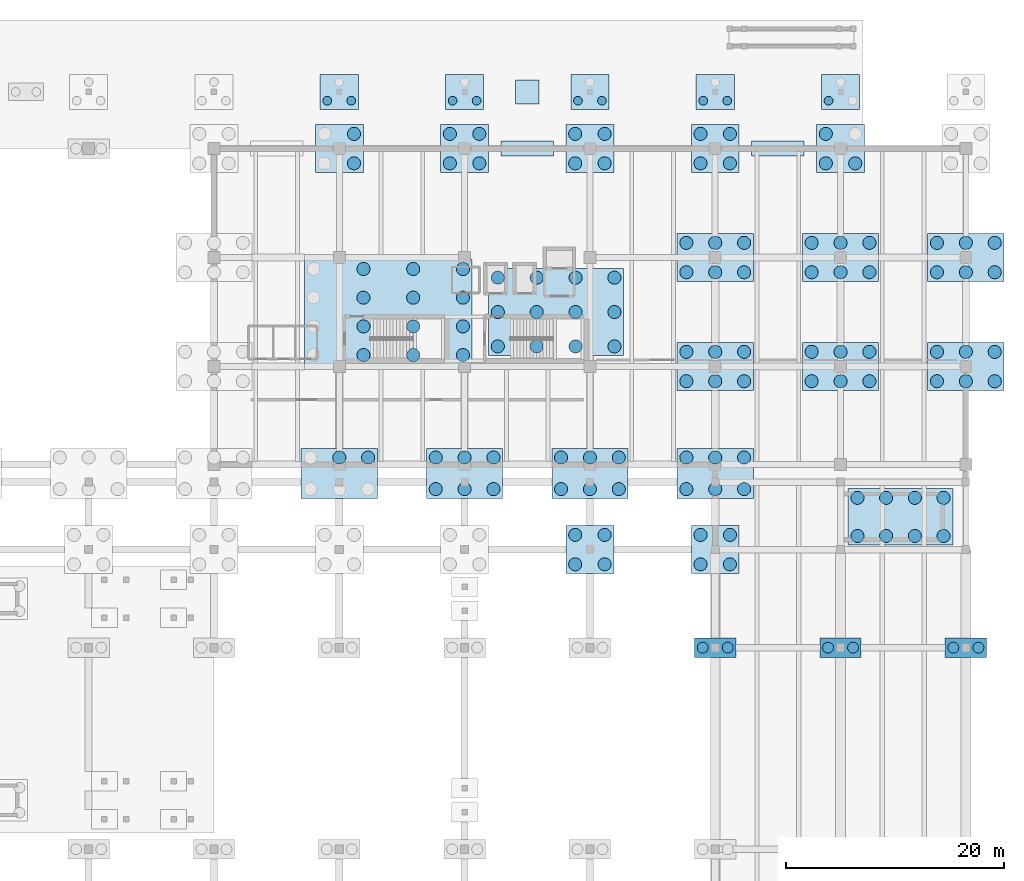
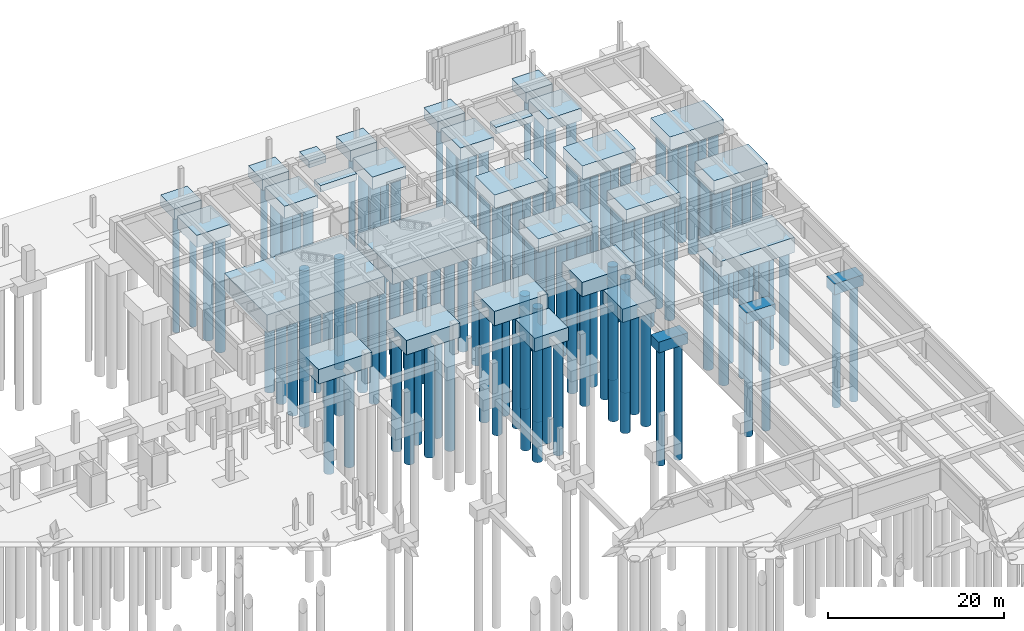
# One storey, part 6 of 28: 128 piles, 31 footings.
"""IFC4 building model written with IfcOpenShell, lengths in metres."""

from ifc_helpers import new_model, si_unit, direction, frame, origin, origin_2d, place, context, subcontext, project, spatial, rectangle, circle, extrude, material, material_profile, profile_set, type_object, element, save


model = new_model("IFC4")

# Units and contexts
model_context = context("Model", 3, precision=1e-05, world=origin(), true_north=direction((0.0, 1.0)))
body_context = subcontext(model_context, "Body", "Model", "MODEL_VIEW")
ifc_project = project(units=[si_unit("LENGTHUNIT", "METRE"), si_unit("AREAUNIT", "SQUARE_METRE"), si_unit("VOLUMEUNIT", "CUBIC_METRE"), si_unit("PLANEANGLEUNIT", "RADIAN"), si_unit("MASSUNIT", "GRAM", prefix="KILO")], contexts=[model_context])

# Site, building, storey
site_placement = place(None, origin())
site = spatial("IfcSite", under=ifc_project, at=site_placement, CompositionType="ELEMENT")
building_placement = place(site_placement, origin())
building = spatial("IfcBuilding", under=site, at=building_placement, Name="Ologun Quay Terminus", CompositionType="ELEMENT")
storey_placement = place(building_placement, frame((0.0, 0.0, -8.39990234375)))
storey = spatial("IfcBuildingStorey", under=building, at=storey_placement, Name="B02", CompositionType="ELEMENT", Elevation=-8.39990234375)

# Piles
ifc_material_1 = material(Name="Concrete C35/45", Category="concrete")
ifc_material_profile_1 = material_profile(ifc_material_1, circle(Radius=0.5, at=origin_2d()), Name="PILE D1000")
ifc_profile_set_1 = profile_set([ifc_material_profile_1], Name="Concrete C35/45")
pile_type_1 = type_object("IfcPileType", Name="Bored Concrete Pile D1000", PredefinedType="BORED", material=ifc_profile_set_1)
for number, where, z_axis, x_axis, name in (
    (1, (159.85009765625, 69.0, -1.400146484375), (0.0, 0.0, -1.0), (1.0, 0.0, 0.0), "P2 Pile FND-SUB-15-Y69-01"),
    (2, (162.14990234375, 69.0, -1.400146484375), (0.0, 0.0, -1.0), (1.0, 0.0, 0.0), "P2 Pile FND-SUB-15-Y69-02"),
    (3, (171.35009765625, 69.0, -1.400146484375), (0.0, 0.0, -1.0), (1.0, 0.0, 0.0), "P2 Pile FND-SUB-16-Y69-01"),
    (4, (173.64990234375, 69.0, -1.400146484375), (0.0, 0.0, -1.0), (1.0, 0.0, 0.0), "P2 Pile FND-SUB-16-Y69-02"),
    (5, (182.85009765625, 69.0, -1.400146484375), (0.0, 0.0, -1.0), (1.0, 0.0, 0.0), "P2 Pile FND-SUB-17-Y69-01"),
    (6, (185.14990234375, 69.0, -1.400146484375), (0.0, 0.0, -1.0), (1.0, 0.0, 0.0), "P2 Pile FND-SUB-17-Y69-02"),
):
    element("IfcPile", number, at=place(storey_placement, frame(where, z_axis=z_axis, x_axis=x_axis)), inside=storey, type_object=pile_type_1, Name=name, PredefinedType="BORED", context=body_context, shape_type="SweptSolid", body=[
        extrude(circle(Radius=0.5, at=origin_2d()), origin(), (0.0, 0.0, 1.0), 16.199951171875),
    ])
ifc_material_2 = material(Name="Concrete C35/45", Category="concrete")
ifc_material_profile_2 = material_profile(ifc_material_2, circle(Radius=0.60009765625, at=origin_2d()), Name="PILE D1200")
ifc_profile_set_2 = profile_set([ifc_material_profile_2], Name="Concrete C35/45")
pile_type_2 = type_object("IfcPileType", Name="Bored Concrete Pile D1200", PredefinedType="BORED", material=ifc_profile_set_2)
for number, where, z_axis, x_axis, name in (
    (7, (128.716796875, 95.85009765625, -2.300048828125), (0.0, 0.0, -1.0), (1.0, 0.0, 0.0), "P1 Pile FND-CORE-E1-02"),
    (8, (133.283203125, 95.85009765625, -2.300048828125), (0.0, 0.0, -1.0), (1.0, 0.0, 0.0), "P1 Pile FND-CORE-E1-03"),
    (9, (137.85009765625, 95.85009765625, -2.300048828125), (0.0, 0.0, -1.0), (1.0, 0.0, 0.0), "P1 Pile FND-CORE-E1-04"),
    (10, (128.716796875, 98.4833984375, -2.300048828125), (0.0, 0.0, -1.0), (1.0, 0.0, 0.0), "P1 Pile FND-CORE-E1-06"),
    (11, (133.283203125, 98.4833984375, -2.300048828125), (0.0, 0.0, -1.0), (1.0, 0.0, 0.0), "P1 Pile FND-CORE-E1-07"),
    (12, (137.85009765625, 98.4833984375, -2.300048828125), (0.0, 0.0, -1.0), (1.0, 0.0, 0.0), "P1 Pile FND-CORE-E1-08"),
    (13, (128.716796875, 101.11669921875, -2.300048828125), (0.0, 0.0, -1.0), (1.0, 0.0, 0.0), "P1 Pile FND-CORE-E1-10"),
    (14, (133.283203125, 101.11669921875, -2.300048828125), (0.0, 0.0, -1.0), (1.0, 0.0, 0.0), "P1 Pile FND-CORE-E1-11"),
    (15, (137.85009765625, 101.11669921875, -2.300048828125), (0.0, 0.0, -1.0), (1.0, 0.0, 0.0), "P1 Pile FND-CORE-E1-12"),
    (16, (128.716796875, 103.75, -2.300048828125), (0.0, 0.0, -1.0), (1.0, 0.0, 0.0), "P1 Pile FND-CORE-E1-14"),
    (17, (133.283203125, 103.75, -2.300048828125), (0.0, 0.0, -1.0), (1.0, 0.0, 0.0), "P1 Pile FND-CORE-E1-15"),
    (18, (137.85009765625, 103.75, -2.300048828125), (0.0, 0.0, -1.0), (1.0, 0.0, 0.0), "P1 Pile FND-CORE-E1-16"),
):
    element("IfcPile", number, at=place(storey_placement, frame(where, z_axis=z_axis, x_axis=x_axis)), inside=storey, type_object=pile_type_2, Name=name, PredefinedType="BORED", context=body_context, shape_type="SweptSolid", body=[
        extrude(circle(Radius=0.60009765625, at=origin_2d()), origin(), (0.0, 0.0, 1.0), 15.300048828125),
    ])
for number, where, z_axis, x_axis, name in (
    (19, (141.050048828125, 96.64990234375, -2.10009765625), (0.0, 0.0, -1.0), (1.0, 0.0, 0.0), "P1 Pile FND-CORE-E2-01"),
    (20, (144.61669921875, 96.64990234375, -2.10009765625), (0.0, 0.0, -1.0), (1.0, 0.0, 0.0), "P1 Pile FND-CORE-E2-02"),
    (21, (148.183349609375, 96.64990234375, -2.10009765625), (0.0, 0.0, -1.0), (1.0, 0.0, 0.0), "P1 Pile FND-CORE-E2-03"),
    (22, (151.75, 96.64990234375, -2.10009765625), (0.0, 0.0, -1.0), (1.0, 0.0, 0.0), "P1 Pile FND-CORE-E2-04"),
    (23, (141.050048828125, 99.800048828125, -2.10009765625), (0.0, 0.0, -1.0), (1.0, 0.0, 0.0), "P1 Pile FND-CORE-E2-05"),
    (24, (144.61669921875, 99.800048828125, -2.10009765625), (0.0, 0.0, -1.0), (1.0, 0.0, 0.0), "P1 Pile FND-CORE-E2-06"),
    (25, (148.183349609375, 99.800048828125, -2.10009765625), (0.0, 0.0, -1.0), (1.0, 0.0, 0.0), "P1 Pile FND-CORE-E2-07"),
    (26, (151.75, 99.800048828125, -2.10009765625), (0.0, 0.0, -1.0), (1.0, 0.0, 0.0), "P1 Pile FND-CORE-E2-08"),
    (27, (141.050048828125, 102.949951171875, -2.10009765625), (0.0, 0.0, -1.0), (1.0, 0.0, 0.0), "P1 Pile FND-CORE-E2-09"),
    (28, (144.61669921875, 102.949951171875, -2.10009765625), (0.0, 0.0, -1.0), (1.0, 0.0, 0.0), "P1 Pile FND-CORE-E2-10"),
    (29, (148.183349609375, 102.949951171875, -2.10009765625), (0.0, 0.0, -1.0), (1.0, 0.0, 0.0), "P1 Pile FND-CORE-E2-11"),
    (30, (151.75, 102.949951171875, -2.10009765625), (0.0, 0.0, -1.0), (1.0, 0.0, 0.0), "P1 Pile FND-CORE-E2-12"),
):
    element("IfcPile", number, at=place(storey_placement, frame(where, z_axis=z_axis, x_axis=x_axis)), inside=storey, type_object=pile_type_2, Name=name, PredefinedType="BORED", context=body_context, shape_type="SweptSolid", body=[
        extrude(circle(Radius=0.60009765625, at=origin_2d()), origin(), (0.0, 0.0, 1.0), 15.5),
    ])
for number, where, z_axis, x_axis, name in (
    (31, (174.050048828125, 79.25, -2.0), (0.0, 0.0, -1.0), (1.0, 0.0, 0.0), "P1 Pile FND-SCAP-6-01"),
    (32, (176.683349609375, 79.25, -2.0), (0.0, 0.0, -1.0), (1.0, 0.0, 0.0), "P1 Pile FND-SCAP-6-02"),
    (33, (179.316650390625, 79.25, -2.0), (0.0, 0.0, -1.0), (1.0, 0.0, 0.0), "P1 Pile FND-SCAP-6-03"),
    (34, (181.949951171875, 79.25, -2.0), (0.0, 0.0, -1.0), (1.0, 0.0, 0.0), "P1 Pile FND-SCAP-6-04"),
    (35, (174.050048828125, 82.75, -2.0), (0.0, 0.0, -1.0), (1.0, 0.0, 0.0), "P1 Pile FND-SCAP-6-05"),
    (36, (176.683349609375, 82.75, -2.0), (0.0, 0.0, -1.0), (1.0, 0.0, 0.0), "P1 Pile FND-SCAP-6-06"),
    (37, (179.316650390625, 82.75, -2.0), (0.0, 0.0, -1.0), (1.0, 0.0, 0.0), "P1 Pile FND-SCAP-6-07"),
    (38, (181.949951171875, 82.75, -2.0), (0.0, 0.0, -1.0), (1.0, 0.0, 0.0), "P1 Pile FND-SCAP-6-08"),
):
    element("IfcPile", number, at=place(storey_placement, frame(where, z_axis=z_axis, x_axis=x_axis)), inside=storey, type_object=pile_type_2, Name=name, PredefinedType="BORED", context=body_context, shape_type="SweptSolid", body=[
        extrude(circle(Radius=0.60009765625, at=origin_2d()), origin(), (0.0, 0.0, 1.0), 15.60009765625),
    ])
for number, where, z_axis, x_axis, name in (
    (39, (126.5, 86.449951171875, -1.900146484375), (0.0, 0.0, -1.0), (1.0, 0.0, 0.0), "P1 Pile FND-MJ-12-05"),
    (40, (129.14990234375, 86.449951171875, -1.900146484375), (0.0, 0.0, -1.0), (1.0, 0.0, 0.0), "P1 Pile FND-MJ-12-06"),
):
    element("IfcPile", number, at=place(storey_placement, frame(where, z_axis=z_axis, x_axis=x_axis)), inside=storey, type_object=pile_type_2, Name=name, PredefinedType="BORED", context=body_context, shape_type="SweptSolid", body=[
        extrude(circle(Radius=0.60009765625, at=origin_2d()), origin(), (0.0, 0.0, 1.0), 15.699951171875),
    ])
for number, where, z_axis, x_axis, name in (
    (41, (127.85009765625, 113.449951171875, -1.60009765625), (0.0, 0.0, -1.0), (1.0, 0.0, 0.0), "P1 Pile FND-12-K-02"),
    (42, (127.85009765625, 116.14990234375, -1.60009765625), (0.0, 0.0, -1.0), (1.0, 0.0, 0.0), "P1 Pile FND-12-K-04"),
):
    element("IfcPile", number, at=place(storey_placement, frame(where, z_axis=z_axis, x_axis=x_axis)), inside=storey, type_object=pile_type_2, Name=name, PredefinedType="BORED", context=body_context, shape_type="SweptSolid", body=[
        extrude(circle(Radius=0.60009765625, at=origin_2d()), origin(), (0.0, 0.0, 1.0), 16.0),
    ])
for number, where, z_axis, x_axis, name in (
    (43, (135.35009765625, 83.550048828125, -1.900146484375), (0.0, 0.0, -1.0), (1.0, 0.0, 0.0), "P1 Pile FND-MJ-13-01"),
    (44, (138.0, 83.550048828125, -1.900146484375), (0.0, 0.0, -1.0), (1.0, 0.0, 0.0), "P1 Pile FND-MJ-13-02"),
    (45, (140.64990234375, 83.550048828125, -1.900146484375), (0.0, 0.0, -1.0), (1.0, 0.0, 0.0), "P1 Pile FND-MJ-13-03"),
    (46, (135.35009765625, 86.449951171875, -1.900146484375), (0.0, 0.0, -1.0), (1.0, 0.0, 0.0), "P1 Pile FND-MJ-13-04"),
    (47, (138.0, 86.449951171875, -1.900146484375), (0.0, 0.0, -1.0), (1.0, 0.0, 0.0), "P1 Pile FND-MJ-13-05"),
    (48, (140.64990234375, 86.449951171875, -1.900146484375), (0.0, 0.0, -1.0), (1.0, 0.0, 0.0), "P1 Pile FND-MJ-13-06"),
):
    element("IfcPile", number, at=place(storey_placement, frame(where, z_axis=z_axis, x_axis=x_axis)), inside=storey, type_object=pile_type_2, Name=name, PredefinedType="BORED", context=body_context, shape_type="SweptSolid", body=[
        extrude(circle(Radius=0.60009765625, at=origin_2d()), origin(), (0.0, 0.0, 1.0), 15.699951171875),
    ])
for number, where, z_axis, x_axis, name in (
    (49, (136.64990234375, 113.449951171875, -1.60009765625), (0.0, 0.0, -1.0), (1.0, 0.0, 0.0), "P1 Pile FND-13-K-01"),
    (50, (139.35009765625, 113.449951171875, -1.60009765625), (0.0, 0.0, -1.0), (1.0, 0.0, 0.0), "P1 Pile FND-13-K-02"),
    (51, (136.64990234375, 116.14990234375, -1.60009765625), (0.0, 0.0, -1.0), (1.0, 0.0, 0.0), "P1 Pile FND-13-K-03"),
    (52, (139.35009765625, 116.14990234375, -1.60009765625), (0.0, 0.0, -1.0), (1.0, 0.0, 0.0), "P1 Pile FND-13-K-04"),
):
    element("IfcPile", number, at=place(storey_placement, frame(where, z_axis=z_axis, x_axis=x_axis)), inside=storey, type_object=pile_type_2, Name=name, PredefinedType="BORED", context=body_context, shape_type="SweptSolid", body=[
        extrude(circle(Radius=0.60009765625, at=origin_2d()), origin(), (0.0, 0.0, 1.0), 16.0),
    ])
for number, where, z_axis, x_axis, name in (
    (53, (146.85009765625, 83.550048828125, -1.900146484375), (0.0, 0.0, -1.0), (1.0, 0.0, 0.0), "P1 Pile FND-MJ-14-01"),
    (54, (149.5, 83.550048828125, -1.900146484375), (0.0, 0.0, -1.0), (1.0, 0.0, 0.0), "P1 Pile FND-MJ-14-02"),
    (55, (152.14990234375, 83.550048828125, -1.900146484375), (0.0, 0.0, -1.0), (1.0, 0.0, 0.0), "P1 Pile FND-MJ-14-03"),
    (56, (146.85009765625, 86.449951171875, -1.900146484375), (0.0, 0.0, -1.0), (1.0, 0.0, 0.0), "P1 Pile FND-MJ-14-04"),
    (57, (149.5, 86.449951171875, -1.900146484375), (0.0, 0.0, -1.0), (1.0, 0.0, 0.0), "P1 Pile FND-MJ-14-05"),
    (58, (152.14990234375, 86.449951171875, -1.900146484375), (0.0, 0.0, -1.0), (1.0, 0.0, 0.0), "P1 Pile FND-MJ-14-06"),
):
    element("IfcPile", number, at=place(storey_placement, frame(where, z_axis=z_axis, x_axis=x_axis)), inside=storey, type_object=pile_type_2, Name=name, PredefinedType="BORED", context=body_context, shape_type="SweptSolid", body=[
        extrude(circle(Radius=0.60009765625, at=origin_2d()), origin(), (0.0, 0.0, 1.0), 15.699951171875),
    ])
for number, where, z_axis, x_axis, name in (
    (59, (148.14990234375, 76.64990234375, -1.75), (0.0, 0.0, -1.0), (1.0, 0.0, 0.0), "P1 Pile FND-14-F-01"),
    (60, (150.85009765625, 76.64990234375, -1.75), (0.0, 0.0, -1.0), (1.0, 0.0, 0.0), "P1 Pile FND-14-F-02"),
    (61, (148.14990234375, 79.35009765625, -1.75), (0.0, 0.0, -1.0), (1.0, 0.0, 0.0), "P1 Pile FND-14-F-03"),
    (62, (150.85009765625, 79.35009765625, -1.75), (0.0, 0.0, -1.0), (1.0, 0.0, 0.0), "P1 Pile FND-14-F-04"),
):
    element("IfcPile", number, at=place(storey_placement, frame(where, z_axis=z_axis, x_axis=x_axis)), inside=storey, type_object=pile_type_2, Name=name, PredefinedType="BORED", context=body_context, shape_type="SweptSolid", body=[
        extrude(circle(Radius=0.60009765625, at=origin_2d()), origin(), (0.0, 0.0, 1.0), 15.85009765625),
    ])
for number, where, z_axis, x_axis, name in (
    (63, (148.14990234375, 113.449951171875, -1.60009765625), (0.0, 0.0, -1.0), (1.0, 0.0, 0.0), "P1 Pile FND-14-K-01"),
    (64, (150.85009765625, 113.449951171875, -1.60009765625), (0.0, 0.0, -1.0), (1.0, 0.0, 0.0), "P1 Pile FND-14-K-02"),
    (65, (148.14990234375, 116.14990234375, -1.60009765625), (0.0, 0.0, -1.0), (1.0, 0.0, 0.0), "P1 Pile FND-14-K-03"),
    (66, (150.85009765625, 116.14990234375, -1.60009765625), (0.0, 0.0, -1.0), (1.0, 0.0, 0.0), "P1 Pile FND-14-K-04"),
):
    element("IfcPile", number, at=place(storey_placement, frame(where, z_axis=z_axis, x_axis=x_axis)), inside=storey, type_object=pile_type_2, Name=name, PredefinedType="BORED", context=body_context, shape_type="SweptSolid", body=[
        extrude(circle(Radius=0.60009765625, at=origin_2d()), origin(), (0.0, 0.0, 1.0), 16.0),
    ])
for number, where, z_axis, x_axis, name in (
    (67, (158.35009765625, 83.550048828125, -1.900146484375), (0.0, 0.0, -1.0), (1.0, 0.0, 0.0), "P1 Pile FND-MJ-15-01"),
    (68, (161.0, 83.550048828125, -1.900146484375), (0.0, 0.0, -1.0), (1.0, 0.0, 0.0), "P1 Pile FND-MJ-15-02"),
    (69, (163.64990234375, 83.550048828125, -1.900146484375), (0.0, 0.0, -1.0), (1.0, 0.0, 0.0), "P1 Pile FND-MJ-15-03"),
    (70, (158.35009765625, 86.449951171875, -1.900146484375), (0.0, 0.0, -1.0), (1.0, 0.0, 0.0), "P1 Pile FND-MJ-15-04"),
    (71, (161.0, 86.449951171875, -1.900146484375), (0.0, 0.0, -1.0), (1.0, 0.0, 0.0), "P1 Pile FND-MJ-15-05"),
    (72, (163.64990234375, 86.449951171875, -1.900146484375), (0.0, 0.0, -1.0), (1.0, 0.0, 0.0), "P1 Pile FND-MJ-15-06"),
):
    element("IfcPile", number, at=place(storey_placement, frame(where, z_axis=z_axis, x_axis=x_axis)), inside=storey, type_object=pile_type_2, Name=name, PredefinedType="BORED", context=body_context, shape_type="SweptSolid", body=[
        extrude(circle(Radius=0.60009765625, at=origin_2d()), origin(), (0.0, 0.0, 1.0), 15.699951171875),
    ])
for number, where, z_axis, x_axis, name in (
    (73, (159.64990234375, 76.64990234375, -1.75), (0.0, 0.0, -1.0), (1.0, 0.0, 0.0), "P1 Pile FND-15-F-01"),
    (74, (162.35009765625, 76.64990234375, -1.75), (0.0, 0.0, -1.0), (1.0, 0.0, 0.0), "P1 Pile FND-15-F-02"),
    (75, (159.64990234375, 79.35009765625, -1.75), (0.0, 0.0, -1.0), (1.0, 0.0, 0.0), "P1 Pile FND-15-F-03"),
    (76, (162.35009765625, 79.35009765625, -1.75), (0.0, 0.0, -1.0), (1.0, 0.0, 0.0), "P1 Pile FND-15-F-04"),
):
    element("IfcPile", number, at=place(storey_placement, frame(where, z_axis=z_axis, x_axis=x_axis)), inside=storey, type_object=pile_type_2, Name=name, PredefinedType="BORED", context=body_context, shape_type="SweptSolid", body=[
        extrude(circle(Radius=0.60009765625, at=origin_2d()), origin(), (0.0, 0.0, 1.0), 15.85009765625),
    ])
for number, where, z_axis, x_axis, name in (
    (77, (158.35009765625, 93.449951171875, -1.800048828125), (0.0, 0.0, -1.0), (1.0, 0.0, 0.0), "P1 Pile FND-15-H-01"),
    (78, (161.0, 93.449951171875, -1.800048828125), (0.0, 0.0, -1.0), (1.0, 0.0, 0.0), "P1 Pile FND-15-H-02"),
    (79, (163.64990234375, 93.449951171875, -1.800048828125), (0.0, 0.0, -1.0), (1.0, 0.0, 0.0), "P1 Pile FND-15-H-03"),
    (80, (158.35009765625, 96.14990234375, -1.800048828125), (0.0, 0.0, -1.0), (1.0, 0.0, 0.0), "P1 Pile FND-15-H-04"),
    (81, (161.0, 96.14990234375, -1.800048828125), (0.0, 0.0, -1.0), (1.0, 0.0, 0.0), "P1 Pile FND-15-H-05"),
    (82, (163.64990234375, 96.14990234375, -1.800048828125), (0.0, 0.0, -1.0), (1.0, 0.0, 0.0), "P1 Pile FND-15-H-06"),
    (83, (158.35009765625, 103.449951171875, -1.800048828125), (0.0, 0.0, -1.0), (1.0, 0.0, 0.0), "P1 Pile FND-15-J-01"),
    (84, (161.0, 103.449951171875, -1.800048828125), (0.0, 0.0, -1.0), (1.0, 0.0, 0.0), "P1 Pile FND-15-J-02"),
    (85, (163.64990234375, 103.449951171875, -1.800048828125), (0.0, 0.0, -1.0), (1.0, 0.0, 0.0), "P1 Pile FND-15-J-03"),
    (86, (158.35009765625, 106.14990234375, -1.800048828125), (0.0, 0.0, -1.0), (1.0, 0.0, 0.0), "P1 Pile FND-15-J-04"),
    (87, (161.0, 106.14990234375, -1.800048828125), (0.0, 0.0, -1.0), (1.0, 0.0, 0.0), "P1 Pile FND-15-J-05"),
    (88, (163.64990234375, 106.14990234375, -1.800048828125), (0.0, 0.0, -1.0), (1.0, 0.0, 0.0), "P1 Pile FND-15-J-06"),
):
    element("IfcPile", number, at=place(storey_placement, frame(where, z_axis=z_axis, x_axis=x_axis)), inside=storey, type_object=pile_type_2, Name=name, PredefinedType="BORED", context=body_context, shape_type="SweptSolid", body=[
        extrude(circle(Radius=0.60009765625, at=origin_2d()), origin(), (0.0, 0.0, 1.0), 15.800048828125),
    ])
for number, where, z_axis, x_axis, name in (
    (89, (159.64990234375, 113.449951171875, -1.60009765625), (0.0, 0.0, -1.0), (1.0, 0.0, 0.0), "P1 Pile FND-15-K-01"),
    (90, (162.35009765625, 113.449951171875, -1.60009765625), (0.0, 0.0, -1.0), (1.0, 0.0, 0.0), "P1 Pile FND-15-K-02"),
    (91, (159.64990234375, 116.14990234375, -1.60009765625), (0.0, 0.0, -1.0), (1.0, 0.0, 0.0), "P1 Pile FND-15-K-03"),
    (92, (162.35009765625, 116.14990234375, -1.60009765625), (0.0, 0.0, -1.0), (1.0, 0.0, 0.0), "P1 Pile FND-15-K-04"),
):
    element("IfcPile", number, at=place(storey_placement, frame(where, z_axis=z_axis, x_axis=x_axis)), inside=storey, type_object=pile_type_2, Name=name, PredefinedType="BORED", context=body_context, shape_type="SweptSolid", body=[
        extrude(circle(Radius=0.60009765625, at=origin_2d()), origin(), (0.0, 0.0, 1.0), 16.0),
    ])
for number, where, z_axis, x_axis, name in (
    (93, (169.85009765625, 93.449951171875, -1.800048828125), (0.0, 0.0, -1.0), (1.0, 0.0, 0.0), "P1 Pile FND-16-H-01"),
    (94, (172.5, 93.449951171875, -1.800048828125), (0.0, 0.0, -1.0), (1.0, 0.0, 0.0), "P1 Pile FND-16-H-02"),
    (95, (175.14990234375, 93.449951171875, -1.800048828125), (0.0, 0.0, -1.0), (1.0, 0.0, 0.0), "P1 Pile FND-16-H-03"),
    (96, (169.85009765625, 96.14990234375, -1.800048828125), (0.0, 0.0, -1.0), (1.0, 0.0, 0.0), "P1 Pile FND-16-H-04"),
    (97, (172.5, 96.14990234375, -1.800048828125), (0.0, 0.0, -1.0), (1.0, 0.0, 0.0), "P1 Pile FND-16-H-05"),
    (98, (175.14990234375, 96.14990234375, -1.800048828125), (0.0, 0.0, -1.0), (1.0, 0.0, 0.0), "P1 Pile FND-16-H-06"),
    (99, (169.85009765625, 103.449951171875, -1.800048828125), (0.0, 0.0, -1.0), (1.0, 0.0, 0.0), "P1 Pile FND-16-J-01"),
    (100, (172.5, 103.449951171875, -1.800048828125), (0.0, 0.0, -1.0), (1.0, 0.0, 0.0), "P1 Pile FND-16-J-02"),
    (101, (175.14990234375, 103.449951171875, -1.800048828125), (0.0, 0.0, -1.0), (1.0, 0.0, 0.0), "P1 Pile FND-16-J-03"),
    (102, (169.85009765625, 106.14990234375, -1.800048828125), (0.0, 0.0, -1.0), (1.0, 0.0, 0.0), "P1 Pile FND-16-J-04"),
    (103, (172.5, 106.14990234375, -1.800048828125), (0.0, 0.0, -1.0), (1.0, 0.0, 0.0), "P1 Pile FND-16-J-05"),
    (104, (175.14990234375, 106.14990234375, -1.800048828125), (0.0, 0.0, -1.0), (1.0, 0.0, 0.0), "P1 Pile FND-16-J-06"),
):
    element("IfcPile", number, at=place(storey_placement, frame(where, z_axis=z_axis, x_axis=x_axis)), inside=storey, type_object=pile_type_2, Name=name, PredefinedType="BORED", context=body_context, shape_type="SweptSolid", body=[
        extrude(circle(Radius=0.60009765625, at=origin_2d()), origin(), (0.0, 0.0, 1.0), 15.800048828125),
    ])
for number, where, z_axis, x_axis, name in (
    (105, (171.14990234375, 113.449951171875, -1.60009765625), (0.0, 0.0, -1.0), (1.0, 0.0, 0.0), "P1 Pile FND-16-K-01"),
    (106, (173.85009765625, 113.449951171875, -1.60009765625), (0.0, 0.0, -1.0), (1.0, 0.0, 0.0), "P1 Pile FND-16-K-02"),
    (107, (171.14990234375, 116.14990234375, -1.60009765625), (0.0, 0.0, -1.0), (1.0, 0.0, 0.0), "P1 Pile FND-16-K-03"),
):
    element("IfcPile", number, at=place(storey_placement, frame(where, z_axis=z_axis, x_axis=x_axis)), inside=storey, type_object=pile_type_2, Name=name, PredefinedType="BORED", context=body_context, shape_type="SweptSolid", body=[
        extrude(circle(Radius=0.60009765625, at=origin_2d()), origin(), (0.0, 0.0, 1.0), 16.0),
    ])
for number, where, z_axis, x_axis, name in (
    (108, (181.35009765625, 93.449951171875, -1.800048828125), (0.0, 0.0, -1.0), (1.0, 0.0, 0.0), "P1 Pile FND-17-H-01"),
    (109, (184.0, 93.449951171875, -1.800048828125), (0.0, 0.0, -1.0), (1.0, 0.0, 0.0), "P1 Pile FND-17-H-02"),
    (110, (186.64990234375, 93.449951171875, -1.800048828125), (0.0, 0.0, -1.0), (1.0, 0.0, 0.0), "P1 Pile FND-17-H-03"),
    (111, (181.35009765625, 96.14990234375, -1.800048828125), (0.0, 0.0, -1.0), (1.0, 0.0, 0.0), "P1 Pile FND-17-H-04"),
    (112, (184.0, 96.14990234375, -1.800048828125), (0.0, 0.0, -1.0), (1.0, 0.0, 0.0), "P1 Pile FND-17-H-05"),
    (113, (186.64990234375, 96.14990234375, -1.800048828125), (0.0, 0.0, -1.0), (1.0, 0.0, 0.0), "P1 Pile FND-17-H-06"),
    (114, (181.35009765625, 103.449951171875, -1.800048828125), (0.0, 0.0, -1.0), (1.0, 0.0, 0.0), "P1 Pile FND-17-J-01"),
    (115, (184.0, 103.449951171875, -1.800048828125), (0.0, 0.0, -1.0), (1.0, 0.0, 0.0), "P1 Pile FND-17-J-02"),
    (116, (186.64990234375, 103.449951171875, -1.800048828125), (0.0, 0.0, -1.0), (1.0, 0.0, 0.0), "P1 Pile FND-17-J-03"),
    (117, (181.35009765625, 106.14990234375, -1.800048828125), (0.0, 0.0, -1.0), (1.0, 0.0, 0.0), "P1 Pile FND-17-J-04"),
    (118, (184.0, 106.14990234375, -1.800048828125), (0.0, 0.0, -1.0), (1.0, 0.0, 0.0), "P1 Pile FND-17-J-05"),
    (119, (186.64990234375, 106.14990234375, -1.800048828125), (0.0, 0.0, -1.0), (1.0, 0.0, 0.0), "P1 Pile FND-17-J-06"),
):
    element("IfcPile", number, at=place(storey_placement, frame(where, z_axis=z_axis, x_axis=x_axis)), inside=storey, type_object=pile_type_2, Name=name, PredefinedType="BORED", context=body_context, shape_type="SweptSolid", body=[
        extrude(circle(Radius=0.60009765625, at=origin_2d()), origin(), (0.0, 0.0, 1.0), 15.800048828125),
    ])
ifc_material_3 = material(Name="Concrete C35/45", Category="concrete")
ifc_material_profile_3 = material_profile(ifc_material_3, circle(Radius=0.39990234375, at=origin_2d()), Name="PILE D800")
ifc_profile_set_3 = profile_set([ifc_material_profile_3], Name="Concrete C35/45")
pile_type_3 = type_object("IfcPileType", Name="Bored Concrete Pile D800", PredefinedType="BORED", material=ifc_profile_set_3)
for number, where, z_axis, x_axis, name in (
    (120, (125.39990234375, 119.1923828125, -1.400146484375), (0.0, 0.0, -1.0), (1.0, 0.0, 0.0), "P3 Pile FND-12-L-01"),
    (121, (127.60009765625, 119.1923828125, -1.400146484375), (0.0, 0.0, -1.0), (1.0, 0.0, 0.0), "P3 Pile FND-12-L-02"),
    (122, (136.89990234375, 119.1923828125, -1.400146484375), (0.0, 0.0, -1.0), (1.0, 0.0, 0.0), "P3 Pile FND-13-L-01"),
    (123, (139.10009765625, 119.1923828125, -1.400146484375), (0.0, 0.0, -1.0), (1.0, 0.0, 0.0), "P3 Pile FND-13-L-02"),
    (124, (148.39990234375, 119.1923828125, -1.400146484375), (0.0, 0.0, -1.0), (1.0, 0.0, 0.0), "P3 Pile FND-14-L-01"),
    (125, (150.60009765625, 119.1923828125, -1.400146484375), (0.0, 0.0, -1.0), (1.0, 0.0, 0.0), "P3 Pile FND-14-L-02"),
    (126, (159.89990234375, 119.1923828125, -1.400146484375), (0.0, 0.0, -1.0), (1.0, 0.0, 0.0), "P3 Pile FND-15-L-01"),
    (127, (162.10009765625, 119.1923828125, -1.400146484375), (0.0, 0.0, -1.0), (1.0, 0.0, 0.0), "P3 Pile FND-15-L-02"),
    (128, (171.39990234375, 119.1923828125, -1.400146484375), (0.0, 0.0, -1.0), (1.0, 0.0, 0.0), "P3 Pile FND-16-L-01"),
):
    element("IfcPile", number, at=place(storey_placement, frame(where, z_axis=z_axis, x_axis=x_axis)), inside=storey, type_object=pile_type_3, Name=name, PredefinedType="BORED", context=body_context, shape_type="SweptSolid", body=[
        extrude(circle(Radius=0.39990234375, at=origin_2d()), origin(), (0.0, 0.0, 1.0), 16.199951171875),
    ])

# Footings
ifc_material_4 = material(Name="Concrete C35/45", Category="concrete")
footing_type_1 = type_object("IfcFootingType", Name="Eight-Pile Core Mat Cap 9600x5200x2100", PredefinedType="PILE_CAP", material=ifc_material_4)
footing_1_placement = place(storey_placement, frame((178.0, 81.0, -2.10009765625), z_axis=(0.0, 0.0, 1.0), x_axis=(1.0, 0.0, 0.0)))
element("IfcFooting", 129, at=footing_1_placement, inside=storey, type_object=footing_type_1, Name="PC7 Footing 16/F", PredefinedType="PILE_CAP", context=body_context, shape_type="SweptSolid", body=[
    extrude(rectangle(XDim=9.60009765625, YDim=5.199951171875, at=origin_2d()), origin(), (0.0, 0.0, 1.0), 2.10009765625),
])
ifc_material_5 = material(Name="Concrete C35/45", Category="concrete")
footing_type_2 = type_object("IfcFootingType", Name="Four-Pile Arch Thrust Cap 4400x4400x1850", PredefinedType="PILE_CAP", material=ifc_material_5)
for number, where, z_axis, x_axis, name in (
    (130, (149.5, 78.0, -1.85009765625), (0.0, 0.0, 1.0), (1.0, 0.0, 0.0), "PC3 Footing 14/F"),
    (131, (161.0, 78.0, -1.85009765625), (0.0, 0.0, 1.0), (1.0, 0.0, 0.0), "PC3 Footing 15/F"),
):
    element("IfcFooting", number, at=place(storey_placement, frame(where, z_axis=z_axis, x_axis=x_axis)), inside=storey, type_object=footing_type_2, Name=name, PredefinedType="PILE_CAP", context=body_context, shape_type="SweptSolid", body=[
        extrude(rectangle(XDim=4.39990234375, YDim=4.39990234375, at=origin_2d()), origin(), (0.0, 0.0, 1.0), 1.85009765625),
    ])
ifc_material_6 = material(Name="Concrete C35/45", Category="concrete")
footing_type_3 = type_object("IfcFootingType", Name="Four-Pile Courtyard Wing Cap 4400x4400x1700", PredefinedType="PILE_CAP", material=ifc_material_6)
for number, where, z_axis, x_axis, name in (
    (132, (126.5, 114.800048828125, -1.7001953125), (0.0, 0.0, 1.0), (1.0, 0.0, 0.0), "PC2 Footing 12/K"),
    (133, (138.0, 114.800048828125, -1.7001953125), (0.0, 0.0, 1.0), (1.0, 0.0, 0.0), "PC2 Footing 13/K"),
    (134, (149.5, 114.800048828125, -1.7001953125), (0.0, 0.0, 1.0), (1.0, 0.0, 0.0), "PC2 Footing 14/K"),
    (135, (161.0, 114.800048828125, -1.7001953125), (0.0, 0.0, 1.0), (1.0, 0.0, 0.0), "PC2 Footing 15/K"),
    (136, (172.5, 114.800048828125, -1.7001953125), (0.0, 0.0, 1.0), (1.0, 0.0, 0.0), "PC2 Footing 16/K"),
):
    element("IfcFooting", number, at=place(storey_placement, frame(where, z_axis=z_axis, x_axis=x_axis)), inside=storey, type_object=footing_type_3, Name=name, PredefinedType="PILE_CAP", context=body_context, shape_type="SweptSolid", body=[
        extrude(rectangle(XDim=4.39990234375, YDim=4.39990234375, at=origin_2d()), origin(), (0.0, 0.0, 1.0), 1.699951171875),
    ])
ifc_material_7 = material(Name="Concrete C35/45", Category="concrete")
footing_type_4 = type_object("IfcFootingType", Name="Perimeter Wall Strip Footing 1400x900", PredefinedType="STRIP_FOOTING", material=ifc_material_7)
for number, where, z_axis, x_axis, name in (
    (137, (143.75, 114.800048828125, -0.900146484375), (0.0, 0.0, 1.0), (1.0, 0.0, 0.0), "SF1 Strip Footing North Bay 13"),
    (138, (166.75, 114.800048828125, -0.900146484375), (0.0, 0.0, 1.0), (1.0, 0.0, 0.0), "SF1 Strip Footing North Bay 15"),
):
    element("IfcFooting", number, at=place(storey_placement, frame(where, z_axis=z_axis, x_axis=x_axis)), inside=storey, type_object=footing_type_4, Name=name, PredefinedType="STRIP_FOOTING", context=body_context, shape_type="SweptSolid", body=[
        extrude(rectangle(XDim=4.800048828125, YDim=1.39990234375, at=origin_2d()), origin(), (0.0, 0.0, 1.0), 0.89990234375),
    ])
ifc_material_8 = material(Name="Concrete C35/45", Category="concrete")
footing_type_5 = type_object("IfcFootingType", Name="Quay Ramp Pad Footing 2200x2200x900", PredefinedType="PAD_FOOTING", material=ifc_material_8)
footing_2_placement = place(storey_placement, frame((143.75, 120.0, -0.900146484375), z_axis=(0.0, 0.0, 1.0), x_axis=(1.0, 0.0, 0.0)))
element("IfcFooting", 139, at=footing_2_placement, inside=storey, type_object=footing_type_5, Name="PF1 Footing 4/L", PredefinedType="PAD_FOOTING", context=body_context, shape_type="SweptSolid", body=[
    extrude(rectangle(XDim=2.199951171875, YDim=2.199951171875, at=origin_2d()), origin(), (0.0, 0.0, 1.0), 0.89990234375),
])
ifc_material_9 = material(Name="Concrete C35/45", Category="concrete")
footing_type_6 = type_object("IfcFootingType", Name="Six-Pile Courtyard Wing Cap 7000x4400x1900", PredefinedType="PILE_CAP", material=ifc_material_9)
for number, where, z_axis, x_axis, name in (
    (140, (161.0, 94.800048828125, -1.900146484375), (0.0, 0.0, 1.0), (1.0, 0.0, 0.0), "PC1 Footing 15/H"),
    (141, (161.0, 104.800048828125, -1.900146484375), (0.0, 0.0, 1.0), (1.0, 0.0, 0.0), "PC1 Footing 15/J"),
    (142, (172.5, 94.800048828125, -1.900146484375), (0.0, 0.0, 1.0), (1.0, 0.0, 0.0), "PC1 Footing 16/H"),
    (143, (172.5, 104.800048828125, -1.900146484375), (0.0, 0.0, 1.0), (1.0, 0.0, 0.0), "PC1 Footing 16/J"),
    (144, (184.0, 94.800048828125, -1.900146484375), (0.0, 0.0, 1.0), (1.0, 0.0, 0.0), "PC1 Footing 17/H"),
    (145, (184.0, 104.800048828125, -1.900146484375), (0.0, 0.0, 1.0), (1.0, 0.0, 0.0), "PC1 Footing 17/J"),
):
    element("IfcFooting", number, at=place(storey_placement, frame(where, z_axis=z_axis, x_axis=x_axis)), inside=storey, type_object=footing_type_6, Name=name, PredefinedType="PILE_CAP", context=body_context, shape_type="SweptSolid", body=[
        extrude(rectangle(XDim=7.0, YDim=4.39990234375, at=origin_2d()), origin(), (0.0, 0.0, 1.0), 1.89990234375),
    ])
ifc_material_10 = material(Name="Concrete C35/45", Category="concrete")
footing_type_7 = type_object("IfcFootingType", Name="Six-Pile Movement Joint Combined Cap 7000x4600x2000", PredefinedType="PILE_CAP", material=ifc_material_10)
for number, where, z_axis, x_axis, name in (
    (146, (126.5, 85.0, -2.0), (0.0, 0.0, 1.0), (1.0, 0.0, 0.0), "PC6 Footing 12/G1-G2"),
    (147, (138.0, 85.0, -2.0), (0.0, 0.0, 1.0), (1.0, 0.0, 0.0), "PC6 Footing 13/G1-G2"),
    (148, (149.5, 85.0, -2.0), (0.0, 0.0, 1.0), (1.0, 0.0, 0.0), "PC6 Footing 14/G1-G2"),
    (149, (161.0, 85.0, -2.0), (0.0, 0.0, 1.0), (1.0, 0.0, 0.0), "PC6 Footing 15/G1-G2"),
):
    element("IfcFooting", number, at=place(storey_placement, frame(where, z_axis=z_axis, x_axis=x_axis)), inside=storey, type_object=footing_type_7, Name=name, PredefinedType="PILE_CAP", context=body_context, shape_type="SweptSolid", body=[
        extrude(rectangle(XDim=7.0, YDim=4.60009765625, at=origin_2d()), origin(), (0.0, 0.0, 1.0), 2.0),
    ])
ifc_material_11 = material(Name="Concrete C35/45", Category="concrete")
footing_type_8 = type_object("IfcFootingType", Name="Sixteen-Pile Central Core Raft 15400x9600x2400", PredefinedType="PILE_CAP", material=ifc_material_11)
footing_3_placement = place(storey_placement, frame((131.0, 99.800048828125, -2.400146484375), z_axis=(0.0, 0.0, 1.0), x_axis=(1.0, 0.0, 0.0)))
element("IfcFooting", 150, at=footing_3_placement, inside=storey, type_object=footing_type_8, Name="PC12 Footing 12/H", PredefinedType="PILE_CAP", context=body_context, shape_type="SweptSolid", body=[
    extrude(rectangle(XDim=15.39990234375, YDim=9.60009765625, at=origin_2d()), origin(), (0.0, 0.0, 1.0), 2.39990234375),
])
ifc_material_12 = material(Name="Concrete C35/45", Category="concrete")
footing_type_9 = type_object("IfcFootingType", Name="Three-Pile Canopy Edge Cap 3500x3200x1500", PredefinedType="PILE_CAP", material=ifc_material_12)
for number, where, z_axis, x_axis, name in (
    (151, (126.5, 120.0, -1.5), (0.0, 0.0, 1.0), (1.0, 0.0, 0.0), "PC10 Footing 12/L"),
    (152, (138.0, 120.0, -1.5), (0.0, 0.0, 1.0), (1.0, 0.0, 0.0), "PC10 Footing 13/L"),
    (153, (149.5, 120.0, -1.5), (0.0, 0.0, 1.0), (1.0, 0.0, 0.0), "PC10 Footing 14/L"),
    (154, (161.0, 120.0, -1.5), (0.0, 0.0, 1.0), (1.0, 0.0, 0.0), "PC10 Footing 15/L"),
    (155, (172.5, 120.0, -1.5), (0.0, 0.0, 1.0), (1.0, 0.0, 0.0), "PC10 Footing 16/L"),
):
    element("IfcFooting", number, at=place(storey_placement, frame(where, z_axis=z_axis, x_axis=x_axis)), inside=storey, type_object=footing_type_9, Name=name, PredefinedType="PILE_CAP", context=body_context, shape_type="SweptSolid", body=[
        extrude(rectangle(XDim=3.5, YDim=3.199951171875, at=origin_2d()), origin(), (0.0, 0.0, 1.0), 1.5),
    ])
ifc_material_13 = material(Name="Concrete C35/45", Category="concrete")
footing_type_10 = type_object("IfcFootingType", Name="Twelve-Pile Coupled Core Raft 12400x8000x2200", PredefinedType="PILE_CAP", material=ifc_material_13)
footing_4_placement = place(storey_placement, frame((146.39990234375, 99.800048828125, -2.2001953125), z_axis=(0.0, 0.0, 1.0), x_axis=(1.0, 0.0, 0.0)))
element("IfcFooting", 156, at=footing_4_placement, inside=storey, type_object=footing_type_10, Name="PC8 Footing 13/H", PredefinedType="PILE_CAP", context=body_context, shape_type="SweptSolid", body=[
    extrude(rectangle(XDim=12.39990234375, YDim=8.0, at=origin_2d()), origin(), (0.0, 0.0, 1.0), 2.199951171875),
])
ifc_material_14 = material(Name="Concrete C35/45", Category="concrete")
footing_type_11 = type_object("IfcFootingType", Name="Two-Pile Podium Cap 3800x1800x1500", PredefinedType="PILE_CAP", material=ifc_material_14)
for number, where, z_axis, x_axis, name in (
    (157, (161.0, 69.0, -1.5), (0.0, 0.0, 1.0), (1.0, 0.0, 0.0), "PC5 Footing 15/E"),
    (158, (172.5, 69.0, -1.5), (0.0, 0.0, 1.0), (1.0, 0.0, 0.0), "PC5 Footing 16/E"),
    (159, (184.0, 69.0, -1.5), (0.0, 0.0, 1.0), (1.0, 0.0, 0.0), "PC5 Footing 17/E"),
):
    element("IfcFooting", number, at=place(storey_placement, frame(where, z_axis=z_axis, x_axis=x_axis)), inside=storey, type_object=footing_type_11, Name=name, PredefinedType="PILE_CAP", context=body_context, shape_type="SweptSolid", body=[
        extrude(rectangle(XDim=3.800048828125, YDim=1.800048828125, at=origin_2d()), origin(), (0.0, 0.0, 1.0), 1.5),
    ])

save(model, "model.ifc")
